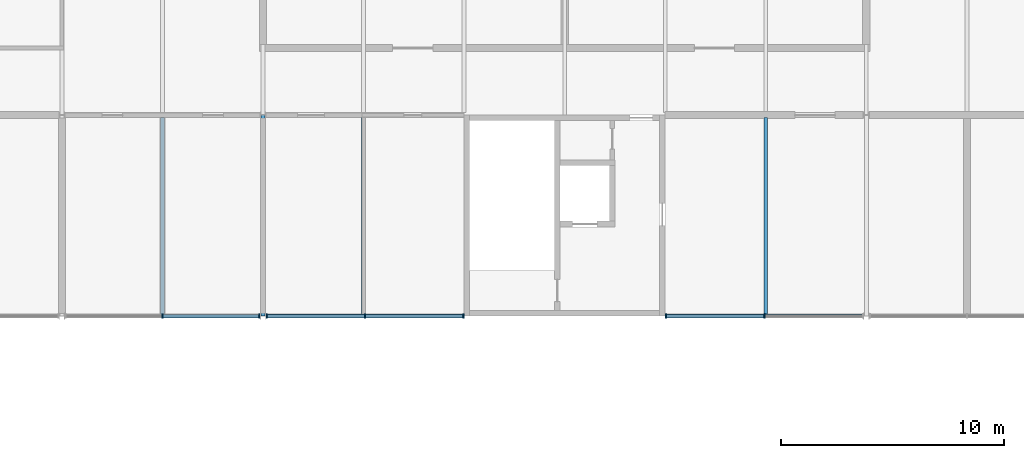
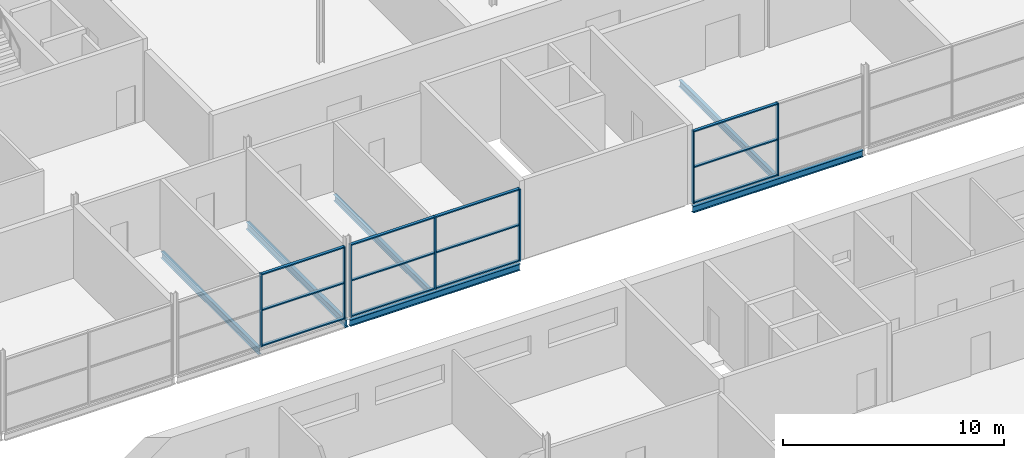
# One storey, part 67 of 138: 19 members, 6 beams, 3 elements without a shape of their own.
"""IFC4 building model written with IfcOpenShell, lengths in metres."""

import ifcopenshell
import ifcopenshell.guid

model = None  # the IFC model being written
_history = None  # IfcOwnerHistory: only IFC2X3 demands one
_inside = {}  # id of a spatial element -> (the spatial element, [elements in it])
_under = {}  # id of a project, library or spatial element -> (it, [spatial elements below it])
_declared = {}  # id of a project -> (the project, [libraries it declares])
_typed = {}  # id of a type object -> (the type object, [elements of that type])
_made_of = {}  # id of a material, layer set ... -> (it, [elements and type objects made of it])


def new_model(schema):
    """Start an empty IFC model of exactly this schema.

    Asked for "IFC4X3", IfcOpenShell would pick the latest addendum, in which some entities
    have other attributes; the version numbers below select the first issue.
    IFC2X3 requires an IfcOwnerHistory on every rooted entity: one is made here for all.
    """
    global model, _history
    if schema == "IFC4X3":
        model = ifcopenshell.file(schema_version=(4, 3, 0, 0))
    else:
        model = ifcopenshell.file(schema=schema)
    _inside.clear()
    _under.clear()
    _declared.clear()
    _typed.clear()
    _made_of.clear()
    _history = None
    if model.schema == "IFC2X3":
        org = make("IfcOrganization", Name="unknown")
        user = make(
            "IfcPersonAndOrganization",
            ThePerson=make("IfcPerson", FamilyName="unknown"),
            TheOrganization=org,
        )
        app = make(
            "IfcApplication",
            ApplicationDeveloper=org,
            Version="unknown",
            ApplicationFullName="unknown",
            ApplicationIdentifier="unknown",
        )
        _history = make(
            "IfcOwnerHistory",
            OwningUser=user,
            OwningApplication=app,
            ChangeAction="ADDED",
            CreationDate=0,
        )
    return model


def make(cls, **values):
    """One entity of the class cls with the attributes given. An attribute that is None is left unset."""
    return model.create_entity(
        cls, **{name: value for name, value in values.items() if value is not None}
    )


def rooted(cls, **values):
    """An entity with a GlobalId (a new one), such as an element, a storey or a relation."""
    return make(cls, GlobalId=ifcopenshell.guid.new(), OwnerHistory=_history, **values)


def si_unit(unit_type, name, prefix=None):
    """IfcSIUnit, for example si_unit("LENGTHUNIT", "METRE", prefix="MILLI")."""
    return make("IfcSIUnit", UnitType=unit_type, Prefix=prefix, Name=name)


def assignment(units):
    """IfcUnitAssignment: the units of a project."""
    return None if units is None else make("IfcUnitAssignment", Units=units)


def point(xyz):
    """IfcCartesianPoint."""
    return None if xyz is None else make("IfcCartesianPoint", Coordinates=xyz)


def direction(xyz):
    """IfcDirection."""
    return None if xyz is None else make("IfcDirection", DirectionRatios=xyz)


def frame(location, z_axis=None, x_axis=None):
    """IfcAxis2Placement3D, a coordinate frame: its origin and axes. An axis left out is left unset."""
    return make(
        "IfcAxis2Placement3D",
        Location=point(location),
        Axis=direction(z_axis),
        RefDirection=direction(x_axis),
    )


def frame_2d(location, x_axis=None):
    """IfcAxis2Placement2D, a coordinate frame in the plane: its origin and x axis."""
    return make(
        "IfcAxis2Placement2D", Location=point(location), RefDirection=direction(x_axis)
    )


def origin():
    """The frame at (0, 0, 0) with its axes left unset."""
    return frame((0.0, 0.0, 0.0))


def origin_2d():
    """The frame at (0, 0) in the plane with its x axis left unset."""
    return frame_2d((0.0, 0.0))


def place(relative_to, where):
    """IfcLocalPlacement: puts the frame where relative to a parent placement (None: the world)."""
    return make(
        "IfcLocalPlacement", PlacementRelTo=relative_to, RelativePlacement=where
    )


def context(
    kind, dimensions, precision=None, world=None, true_north=None, identifier=None
):
    """IfcGeometricRepresentationContext, for example the 3D "Model" context."""
    return make(
        "IfcGeometricRepresentationContext",
        ContextIdentifier=identifier,
        ContextType=kind,
        CoordinateSpaceDimension=dimensions,
        Precision=precision,
        WorldCoordinateSystem=world,
        TrueNorth=true_north,
    )


def subcontext(parent, identifier, kind, view, scale=None):
    """IfcGeometricRepresentationSubContext, for example "Body" below "Model"."""
    return make(
        "IfcGeometricRepresentationSubContext",
        ContextIdentifier=identifier,
        ContextType=kind,
        ParentContext=parent,
        TargetScale=scale,
        TargetView=view,
    )


def project(units=None, contexts=None):
    """IfcProject with its units and contexts."""
    return rooted(
        "IfcProject",
        Name="project",
        RepresentationContexts=contexts,
        UnitsInContext=assignment(units),
    )


def spatial(cls, under=None, at=None, **own):
    """A site, building, storey or space (cls), placed at a placement, below another one or the project."""
    s = rooted(cls, ObjectPlacement=at, **own)
    if under is not None:
        _under.setdefault(under.id(), (under, []))[1].append(s)
    return s


def profile(cls, at=None, kind="AREA", **sizes):
    """A parametric profile (cls). Its sizes go by their IFC names, for example OverallWidth=200.0."""
    return make(cls, ProfileType=kind, Position=at, **sizes)


def rectangle(**sizes):
    """IfcRectangleProfileDef."""
    return profile("IfcRectangleProfileDef", **sizes)


def i_section(**sizes):
    """IfcIShapeProfileDef."""
    return profile("IfcIShapeProfileDef", **sizes)


def extrude(swept, where, along, depth):
    """IfcExtrudedAreaSolid: the profile swept, set in the frame where, extruded along a direction by depth."""
    return make(
        "IfcExtrudedAreaSolid",
        SweptArea=swept,
        Position=where,
        ExtrudedDirection=direction(along),
        Depth=depth,
    )


def shape(context_of_items, identifier, shape_type, items):
    """IfcShapeRepresentation: the items that make up one representation, for example the "Body"."""
    return make(
        "IfcShapeRepresentation",
        ContextOfItems=context_of_items,
        RepresentationIdentifier=identifier,
        RepresentationType=shape_type,
        Items=items,
    )


def material(Name=None, Category=None):
    """IfcMaterial."""
    return make("IfcMaterial", Name=Name, Category=Category)


def layer(
    of_material, thickness, ventilated=None, Name=None, Category=None, Priority=None
):
    """IfcMaterialLayer: one layer of a wall or slab, of a material (None: an air gap)."""
    return make(
        "IfcMaterialLayer",
        Material=of_material,
        LayerThickness=thickness,
        IsVentilated=ventilated,
        Name=Name,
        Category=Category,
        Priority=Priority,
    )


def layer_set(layers, Name=None):
    """IfcMaterialLayerSet."""
    return make("IfcMaterialLayerSet", MaterialLayers=layers, LayerSetName=Name)


def material_profile(
    of_material, cross_section, Name=None, Category=None, Priority=None
):
    """IfcMaterialProfile: a cross section and its material."""
    return make(
        "IfcMaterialProfile",
        Name=Name,
        Material=of_material,
        Profile=cross_section,
        Priority=Priority,
        Category=Category,
    )


def profile_set(profiles, Name=None, composite=None):
    """IfcMaterialProfileSet."""
    return make(
        "IfcMaterialProfileSet",
        Name=Name,
        MaterialProfiles=profiles,
        CompositeProfile=composite,
    )


def made_of(thing, what):
    """Note that an element or type object is made of a material, layer set ...; save() writes the relation."""
    if what is not None:
        _made_of.setdefault(what.id(), (what, []))[1].append(thing)
    return thing


def type_object(cls, material=None, **own):
    """A type object (cls), such as IfcWallType, which elements share."""
    return made_of(rooted(cls, **own), material)


def element(
    cls,
    number,
    at=None,
    inside=None,
    cuts=None,
    type_object=None,
    material=None,
    context=None,
    identifier="Body",
    shape_type=None,
    held_by="IfcProductDefinitionShape",
    body=None,
    shapes=None,
    **own,
):
    """One element of the class cls, such as IfcWall. Its Tag is "e" and its number.

    at: its placement. inside: the storey or other place that contains it. cuts: it is an
    opening in that element (IfcRelVoidsElement). A single representation is given by context,
    identifier, shape_type and body (its items); several are given by shapes. held_by: the class
    of the entity that holds the representations. save() writes the other relations.
    """
    e = rooted(cls, Tag="e%d" % number, ObjectPlacement=at, **own)
    if body is not None:
        shapes = [shape(context, identifier, shape_type, body)]
    if shapes is not None:
        e.Representation = make(held_by, Representations=shapes)
    if inside is not None:
        _inside.setdefault(inside.id(), (inside, []))[1].append(e)
    if cuts is not None:
        rooted(
            "IfcRelVoidsElement", RelatingBuildingElement=cuts, RelatedOpeningElement=e
        )
    if type_object is not None:
        _typed.setdefault(type_object.id(), (type_object, []))[1].append(e)
    return made_of(e, material)


def aggregate(whole, parts):
    """IfcRelAggregates: a whole, such as a stair, and the parts it consists of."""
    return rooted("IfcRelAggregates", RelatingObject=whole, RelatedObjects=parts)


def save(model, path):
    """Write the relations noted so far, then the file.

    IfcRelAggregates (storeys below a building ...), IfcRelContainedInSpatialStructure (elements
    in a storey), IfcRelDefinesByType, IfcRelAssociatesMaterial and IfcRelDeclares: one each for
    every whole, place, type object, material and project.
    """
    for whole, parts in _under.values():
        aggregate(whole, parts)
    for where, things in _inside.values():
        rooted(
            "IfcRelContainedInSpatialStructure",
            RelatedElements=things,
            RelatingStructure=where,
        )
    for kind, things in _typed.values():
        rooted("IfcRelDefinesByType", RelatedObjects=things, RelatingType=kind)
    for what, things in _made_of.values():
        rooted("IfcRelAssociatesMaterial", RelatedObjects=things, RelatingMaterial=what)
    for by, libraries in _declared.values():
        rooted("IfcRelDeclares", RelatingContext=by, RelatedDefinitions=libraries)
    model.write(path)


model = new_model("IFC4")

# Units and contexts
model_context = context("Model", 3, precision=1e-05, world=origin(), true_north=direction((0.0, 1.0)))
body_context = subcontext(model_context, "Body", "Model", "MODEL_VIEW")
ifc_project = project(units=[si_unit("LENGTHUNIT", "METRE"), si_unit("AREAUNIT", "SQUARE_METRE"), si_unit("VOLUMEUNIT", "CUBIC_METRE"), si_unit("PLANEANGLEUNIT", "RADIAN"), si_unit("MASSUNIT", "GRAM", prefix="KILO")], contexts=[model_context])

# Site, building, storey
site_placement = place(None, origin())
site = spatial("IfcSite", under=ifc_project, at=site_placement, CompositionType="ELEMENT")
building_placement = place(site_placement, origin())
building = spatial("IfcBuilding", under=site, at=building_placement, Name="Corbel Yard City Hall", CompositionType="ELEMENT")
storey_placement = place(building_placement, frame((0.0, 0.0, 10.5)))
storey = spatial("IfcBuildingStorey", under=building, at=storey_placement, Name="L02", CompositionType="ELEMENT", Elevation=10.5)

# Beams
ifc_material_1 = material(Name="Steel Grade 300 (300 MPa yield)", Category="steel")
ifc_material_profile_1 = material_profile(ifc_material_1, i_section(OverallWidth=0.177978515625, OverallDepth=0.403076171875, WebThickness=0.007568359375, FlangeThickness=0.010986328125, at=origin_2d()), Name="410UB53.7")
ifc_profile_set_1 = profile_set([ifc_material_profile_1], Name="Steel Grade 300 (300 MPa yield)")
beam_type_1 = type_object("IfcBeamType", Name="Beam 410UB53.7", PredefinedType="BEAM", material=ifc_profile_set_1)
beam_placement = place(storey_placement, frame((72.0, 90.00537109375, -0.3515625), z_axis=(0.0, 1.0, 0.0), x_axis=(-1.0, 0.0, 0.0)))
element("IfcBeam", 1, at=beam_placement, inside=storey, type_object=beam_type_1, Name="Beam 410UB53.7 SB6 L02floor", PredefinedType="BEAM", context=body_context, shape_type="SweptSolid", body=[
    extrude(i_section(OverallWidth=0.177978515625, OverallDepth=0.403076171875, WebThickness=0.007568359375, FlangeThickness=0.010986328125, at=origin_2d()), origin(), (0.0, 0.0, 1.0), 8.98876953125),
])
ifc_material_profile_2 = material_profile(ifc_material_1, i_section(OverallWidth=0.172119140625, OverallDepth=0.35888671875, WebThickness=0.008056640625, FlangeThickness=0.012939453125, at=origin_2d()), Name="360UB56.7")
ifc_profile_set_2 = profile_set([ifc_material_profile_2], Name="Steel Grade 300 (300 MPa yield)")
beam_type_2 = type_object("IfcBeamType", Name="Edge beam 360UB56.7", PredefinedType="BEAM", material=ifc_profile_set_2)
for number, where, z_axis, x_axis, name in (
    (2, (72.1298828125, 90.0, -0.32958984375), (1.0, 0.0, 0.0), (0.0, 1.0, 0.0), "Edge beam 360UB56.7 EB4 L02floor"),
    (3, (90.0, 90.0, -0.32958984375), (1.0, 0.0, 0.0), (0.0, 1.0, 0.0), "Edge beam 360UB56.7 EB4 L02floor"),
):
    element("IfcBeam", number, at=place(storey_placement, frame(where, z_axis=z_axis, x_axis=x_axis)), inside=storey, type_object=beam_type_2, Name=name, PredefinedType="BEAM", context=body_context, shape_type="SweptSolid", body=[
        extrude(i_section(OverallWidth=0.172119140625, OverallDepth=0.35888671875, WebThickness=0.008056640625, FlangeThickness=0.012939453125, at=origin_2d()), origin(), (0.0, 0.0, 1.0), 8.8701171875),
    ])

# Curtain wall, members
ifc_material_2 = material(Name="Aluminium extrusion", Category="aluminium")
ifc_layer = layer(ifc_material_2, 0.199951171875)
ifc_layer_set = layer_set([ifc_layer], Name="Aluminium extrusion")
curtain_wall_type = type_object("IfcCurtainWallType", Name="CW1", PredefinedType="USERDEFINED", material=ifc_layer_set)
curtain_wall_1_placement = place(storey_placement, origin())
curtain_wall_1 = element("IfcCurtainWall", 4, at=curtain_wall_1_placement, inside=storey, type_object=curtain_wall_type, Name="Curtain wall CW1 L02", ObjectType="CURTAIN WALL", PredefinedType="USERDEFINED")
ifc_material_profile_3 = material_profile(ifc_material_2, rectangle(XDim=0.199951171875, YDim=0.06494140625, at=origin_2d()), Name="200x65")
ifc_profile_set_3 = profile_set([ifc_material_profile_3], Name="Aluminium extrusion")
member_type_1 = type_object("IfcMemberType", Name="ML1", PredefinedType="MULLION", material=ifc_profile_set_3)
member_1_placement = place(storey_placement, frame((67.5, 90.0, 0.0), z_axis=(0.0, 0.0, 1.0), x_axis=(0.0, 1.0, 0.0)))
member_1 = element("IfcMember", 5, at=member_1_placement, type_object=member_type_1, Name="CW1 mullion 2", PredefinedType="MULLION", context=body_context, shape_type="SweptSolid", body=[
    extrude(rectangle(XDim=0.199951171875, YDim=0.06494140625, at=origin_2d()), origin(), (0.0, 0.0, 1.0), 3.990966796875),
])
member_2_placement = place(storey_placement, frame((71.840576171875, 90.0, 0.0), z_axis=(0.0, 0.0, 1.0), x_axis=(0.0, 1.0, 0.0)))
member_2 = element("IfcMember", 6, at=member_2_placement, type_object=member_type_1, Name="CW1 mullion 3", PredefinedType="MULLION", context=body_context, shape_type="SweptSolid", body=[
    extrude(rectangle(XDim=0.199951171875, YDim=0.06494140625, at=origin_2d()), origin(), (0.0, 0.0, 1.0), 3.990966796875),
])

curtain_wall_2_placement = place(storey_placement, origin())
curtain_wall_2 = element("IfcCurtainWall", 7, at=curtain_wall_2_placement, inside=storey, type_object=curtain_wall_type, Name="Curtain wall CW1 L02", ObjectType="CURTAIN WALL", PredefinedType="USERDEFINED")
member_3_placement = place(storey_placement, frame((72.159423828125, 90.0, 0.0), z_axis=(0.0, 0.0, 1.0), x_axis=(0.0, 1.0, 0.0)))
member_3 = element("IfcMember", 8, at=member_3_placement, type_object=member_type_1, Name="CW1 mullion 1", PredefinedType="MULLION", context=body_context, shape_type="SweptSolid", body=[
    extrude(rectangle(XDim=0.199951171875, YDim=0.06494140625, at=origin_2d()), origin(), (0.0, 0.0, 1.0), 3.990966796875),
])
member_4_placement = place(storey_placement, frame((76.5634765625, 90.0, 0.0), z_axis=(0.0, 0.0, 1.0), x_axis=(0.0, 1.0, 0.0)))
member_4 = element("IfcMember", 9, at=member_4_placement, type_object=member_type_1, Name="CW1 mullion 2", PredefinedType="MULLION", context=body_context, shape_type="SweptSolid", body=[
    extrude(rectangle(XDim=0.199951171875, YDim=0.06494140625, at=origin_2d()), origin(), (0.0, 0.0, 1.0), 3.990966796875),
])
member_5_placement = place(storey_placement, frame((80.967529296875, 90.0, 0.0), z_axis=(0.0, 0.0, 1.0), x_axis=(0.0, 1.0, 0.0)))
member_5 = element("IfcMember", 10, at=member_5_placement, type_object=member_type_1, Name="CW1 mullion 3", PredefinedType="MULLION", context=body_context, shape_type="SweptSolid", body=[
    extrude(rectangle(XDim=0.199951171875, YDim=0.06494140625, at=origin_2d()), origin(), (0.0, 0.0, 1.0), 3.990966796875),
])

curtain_wall_3_placement = place(storey_placement, origin())
curtain_wall_3 = element("IfcCurtainWall", 11, at=curtain_wall_3_placement, inside=storey, type_object=curtain_wall_type, Name="Curtain wall CW1 L02", ObjectType="CURTAIN WALL", PredefinedType="USERDEFINED")
member_6_placement = place(storey_placement, frame((90.032470703125, 90.0, 0.0), z_axis=(0.0, 0.0, 1.0), x_axis=(0.0, 1.0, 0.0)))
member_6 = element("IfcMember", 12, at=member_6_placement, type_object=member_type_1, Name="CW1 mullion 1", PredefinedType="MULLION", context=body_context, shape_type="SweptSolid", body=[
    extrude(rectangle(XDim=0.199951171875, YDim=0.06494140625, at=origin_2d()), origin(), (0.0, 0.0, 1.0), 3.990966796875),
])
member_7_placement = place(storey_placement, frame((94.4365234375, 90.0, 0.0), z_axis=(0.0, 0.0, 1.0), x_axis=(0.0, 1.0, 0.0)))
member_7 = element("IfcMember", 13, at=member_7_placement, type_object=member_type_1, Name="CW1 mullion 2", PredefinedType="MULLION", context=body_context, shape_type="SweptSolid", body=[
    extrude(rectangle(XDim=0.199951171875, YDim=0.06494140625, at=origin_2d()), origin(), (0.0, 0.0, 1.0), 3.990966796875),
])

# Beams
ifc_material_profile_4 = material_profile(ifc_material_1, i_section(OverallWidth=0.1708984375, OverallDepth=0.35595703125, WebThickness=0.00732421875, FlangeThickness=0.011474609375, at=origin_2d()), Name="360UB50.7")
ifc_profile_set_4 = profile_set([ifc_material_profile_4], Name="Steel Grade 300 (300 MPa yield)")
beam_type_3 = type_object("IfcBeamType", Name="Secondary beam 360UB50.7", PredefinedType="JOIST", material=ifc_profile_set_4)
for number, where, z_axis, x_axis, name in (
    (14, (67.5, 90.0859375, -0.327880859375), (0.0, 1.0, 0.0), (-1.0, 0.0, 0.0), "Secondary beam 360UB50.7 SB10 L02floor"),
    (15, (76.5, 90.0859375, -0.327880859375), (0.0, 1.0, 0.0), (-1.0, 0.0, 0.0), "Secondary beam 360UB50.7 SB10 L02floor"),
    (16, (94.5, 90.0859375, -0.327880859375), (0.0, 1.0, 0.0), (-1.0, 0.0, 0.0), "Secondary beam 360UB50.7 SB10 L02floor"),
):
    element("IfcBeam", number, at=place(storey_placement, frame(where, z_axis=z_axis, x_axis=x_axis)), inside=storey, type_object=beam_type_3, Name=name, PredefinedType="JOIST", context=body_context, shape_type="SweptSolid", body=[
        extrude(i_section(OverallWidth=0.1708984375, OverallDepth=0.35595703125, WebThickness=0.00732421875, FlangeThickness=0.011474609375, at=origin_2d()), origin(), (0.0, 0.0, 1.0), 8.8095703125),
    ])

# Member
ifc_material_profile_5 = material_profile(ifc_material_2, rectangle(XDim=0.14990234375, YDim=0.06494140625, at=origin_2d()), Name="150x65")
ifc_profile_set_5 = profile_set([ifc_material_profile_5], Name="Aluminium extrusion")
member_type_2 = type_object("IfcMemberType", Name="TR1", PredefinedType="USERDEFINED", material=ifc_profile_set_5)
member_8_placement = place(storey_placement, frame((67.532470703125, 90.0, 0.032470703125), z_axis=(1.0, 0.0, 0.0), x_axis=(0.0, 1.0, 0.0)))
member_8 = element("IfcMember", 17, at=member_8_placement, type_object=member_type_2, Name="CW1 transom 2.1", ObjectType="TRANSOM", PredefinedType="USERDEFINED", context=body_context, shape_type="SweptSolid", body=[
    extrude(rectangle(XDim=0.14990234375, YDim=0.06494140625, at=origin_2d()), origin(), (0.0, 0.0, 1.0), 4.275634765625),
])

member_9_placement = place(storey_placement, frame((67.532470703125, 90.0, 1.99560546875), z_axis=(1.0, 0.0, 0.0), x_axis=(0.0, 1.0, 0.0)))
member_9 = element("IfcMember", 18, at=member_9_placement, type_object=member_type_2, Name="CW1 transom 2.2", ObjectType="TRANSOM", PredefinedType="USERDEFINED", context=body_context, shape_type="SweptSolid", body=[
    extrude(rectangle(XDim=0.14990234375, YDim=0.06494140625, at=origin_2d()), origin(), (0.0, 0.0, 1.0), 4.275634765625),
])

member_10_placement = place(storey_placement, frame((67.532470703125, 90.0, 3.95849609375), z_axis=(1.0, 0.0, 0.0), x_axis=(0.0, 1.0, 0.0)))
member_10 = element("IfcMember", 19, at=member_10_placement, type_object=member_type_2, Name="CW1 transom 2.3", ObjectType="TRANSOM", PredefinedType="USERDEFINED", context=body_context, shape_type="SweptSolid", body=[
    extrude(rectangle(XDim=0.14990234375, YDim=0.06494140625, at=origin_2d()), origin(), (0.0, 0.0, 1.0), 4.275634765625),
])

aggregate(curtain_wall_1, [member_1, member_2, member_8, member_9, member_10])

member_11_placement = place(storey_placement, frame((72.19189453125, 90.0, 0.032470703125), z_axis=(1.0, 0.0, 0.0), x_axis=(0.0, 1.0, 0.0)))
member_11 = element("IfcMember", 20, at=member_11_placement, type_object=member_type_2, Name="CW1 transom 1.1", ObjectType="TRANSOM", PredefinedType="USERDEFINED", context=body_context, shape_type="SweptSolid", body=[
    extrude(rectangle(XDim=0.14990234375, YDim=0.06494140625, at=origin_2d()), origin(), (0.0, 0.0, 1.0), 4.339111328125),
])

member_12_placement = place(storey_placement, frame((72.19189453125, 90.0, 1.99560546875), z_axis=(1.0, 0.0, 0.0), x_axis=(0.0, 1.0, 0.0)))
member_12 = element("IfcMember", 21, at=member_12_placement, type_object=member_type_2, Name="CW1 transom 1.2", ObjectType="TRANSOM", PredefinedType="USERDEFINED", context=body_context, shape_type="SweptSolid", body=[
    extrude(rectangle(XDim=0.14990234375, YDim=0.06494140625, at=origin_2d()), origin(), (0.0, 0.0, 1.0), 4.339111328125),
])

member_13_placement = place(storey_placement, frame((72.19189453125, 90.0, 3.95849609375), z_axis=(1.0, 0.0, 0.0), x_axis=(0.0, 1.0, 0.0)))
member_13 = element("IfcMember", 22, at=member_13_placement, type_object=member_type_2, Name="CW1 transom 1.3", ObjectType="TRANSOM", PredefinedType="USERDEFINED", context=body_context, shape_type="SweptSolid", body=[
    extrude(rectangle(XDim=0.14990234375, YDim=0.06494140625, at=origin_2d()), origin(), (0.0, 0.0, 1.0), 4.339111328125),
])

member_14_placement = place(storey_placement, frame((76.595947265625, 90.0, 0.032470703125), z_axis=(1.0, 0.0, 0.0), x_axis=(0.0, 1.0, 0.0)))
member_14 = element("IfcMember", 23, at=member_14_placement, type_object=member_type_2, Name="CW1 transom 2.1", ObjectType="TRANSOM", PredefinedType="USERDEFINED", context=body_context, shape_type="SweptSolid", body=[
    extrude(rectangle(XDim=0.14990234375, YDim=0.06494140625, at=origin_2d()), origin(), (0.0, 0.0, 1.0), 4.339111328125),
])

member_15_placement = place(storey_placement, frame((76.595947265625, 90.0, 1.99560546875), z_axis=(1.0, 0.0, 0.0), x_axis=(0.0, 1.0, 0.0)))
member_15 = element("IfcMember", 24, at=member_15_placement, type_object=member_type_2, Name="CW1 transom 2.2", ObjectType="TRANSOM", PredefinedType="USERDEFINED", context=body_context, shape_type="SweptSolid", body=[
    extrude(rectangle(XDim=0.14990234375, YDim=0.06494140625, at=origin_2d()), origin(), (0.0, 0.0, 1.0), 4.339111328125),
])

member_16_placement = place(storey_placement, frame((76.595947265625, 90.0, 3.95849609375), z_axis=(1.0, 0.0, 0.0), x_axis=(0.0, 1.0, 0.0)))
member_16 = element("IfcMember", 25, at=member_16_placement, type_object=member_type_2, Name="CW1 transom 2.3", ObjectType="TRANSOM", PredefinedType="USERDEFINED", context=body_context, shape_type="SweptSolid", body=[
    extrude(rectangle(XDim=0.14990234375, YDim=0.06494140625, at=origin_2d()), origin(), (0.0, 0.0, 1.0), 4.339111328125),
])

aggregate(curtain_wall_2, [member_3, member_4, member_5, member_11, member_12, member_13, member_14, member_15, member_16])

member_17_placement = place(storey_placement, frame((90.06494140625, 90.0, 0.032470703125), z_axis=(1.0, 0.0, 0.0), x_axis=(0.0, 1.0, 0.0)))
member_17 = element("IfcMember", 26, at=member_17_placement, type_object=member_type_2, Name="CW1 transom 1.1", ObjectType="TRANSOM", PredefinedType="USERDEFINED", context=body_context, shape_type="SweptSolid", body=[
    extrude(rectangle(XDim=0.14990234375, YDim=0.06494140625, at=origin_2d()), origin(), (0.0, 0.0, 1.0), 4.339111328125),
])

member_18_placement = place(storey_placement, frame((90.06494140625, 90.0, 1.99560546875), z_axis=(1.0, 0.0, 0.0), x_axis=(0.0, 1.0, 0.0)))
member_18 = element("IfcMember", 27, at=member_18_placement, type_object=member_type_2, Name="CW1 transom 1.2", ObjectType="TRANSOM", PredefinedType="USERDEFINED", context=body_context, shape_type="SweptSolid", body=[
    extrude(rectangle(XDim=0.14990234375, YDim=0.06494140625, at=origin_2d()), origin(), (0.0, 0.0, 1.0), 4.339111328125),
])

member_19_placement = place(storey_placement, frame((90.06494140625, 90.0, 3.95849609375), z_axis=(1.0, 0.0, 0.0), x_axis=(0.0, 1.0, 0.0)))
member_19 = element("IfcMember", 28, at=member_19_placement, type_object=member_type_2, Name="CW1 transom 1.3", ObjectType="TRANSOM", PredefinedType="USERDEFINED", context=body_context, shape_type="SweptSolid", body=[
    extrude(rectangle(XDim=0.14990234375, YDim=0.06494140625, at=origin_2d()), origin(), (0.0, 0.0, 1.0), 4.339111328125),
])

aggregate(curtain_wall_3, [member_6, member_7, member_17, member_18, member_19])

save(model, "model.ifc")
